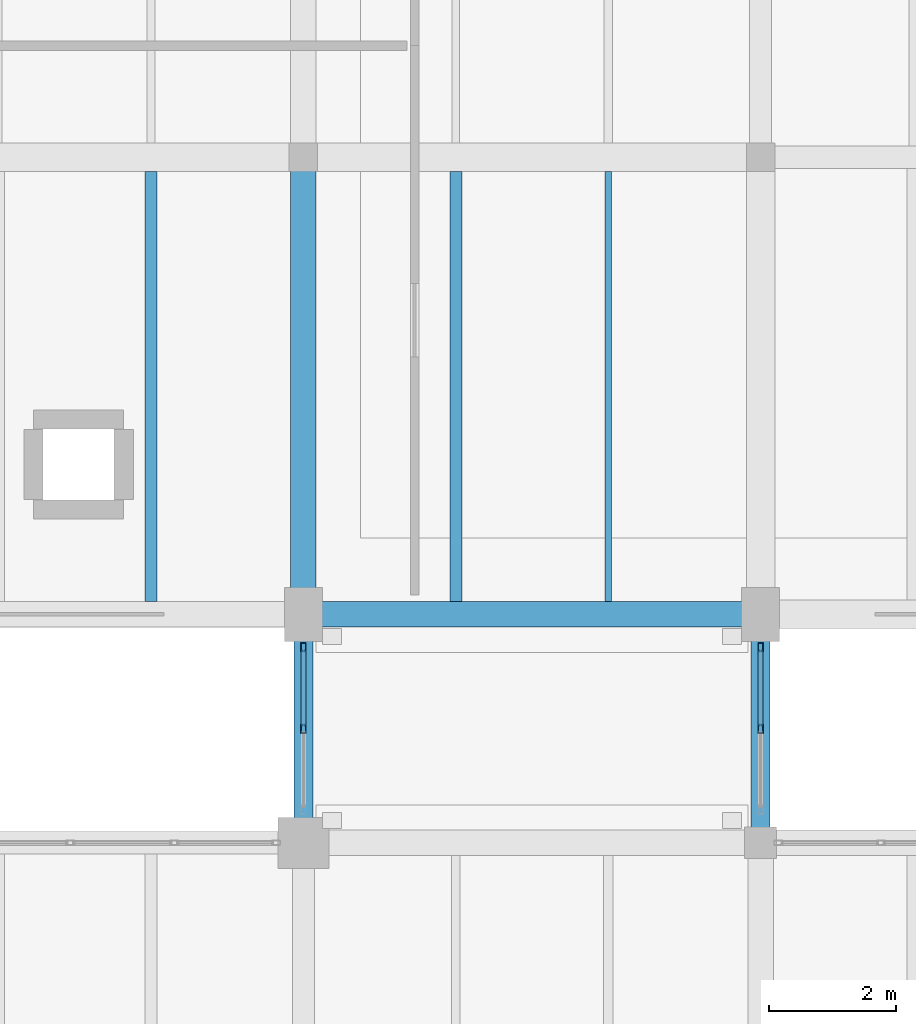
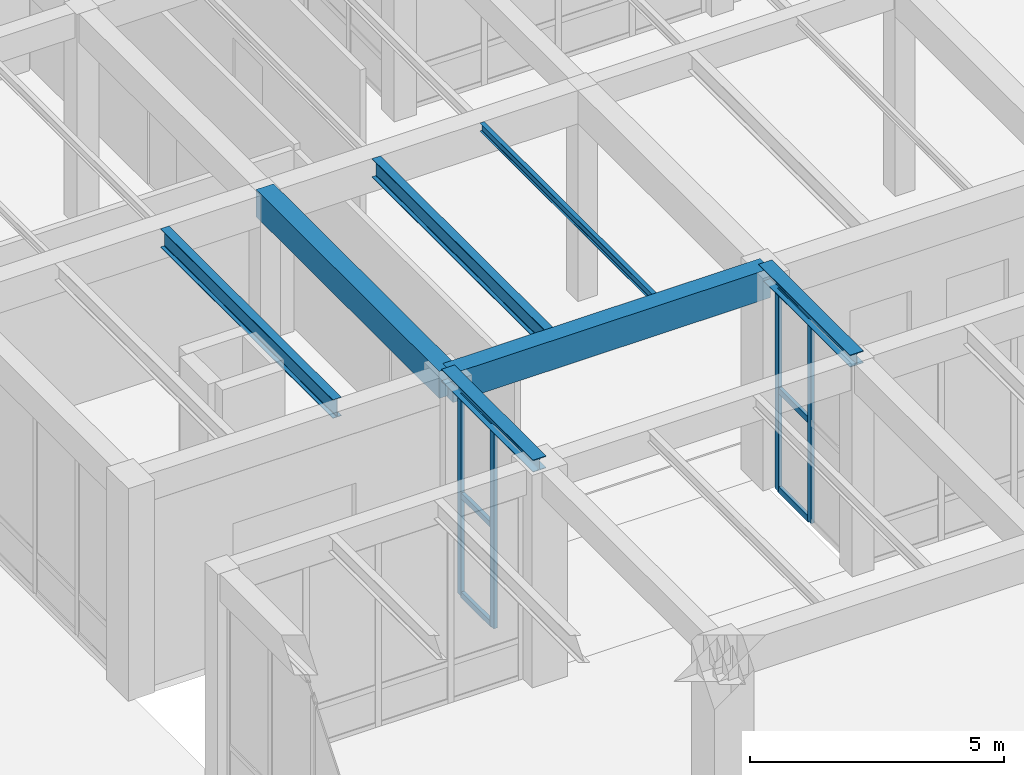
# One storey, part 90 of 169: 10 members, 7 beams, 2 elements without a shape of their own.
"""IFC4 building model written with IfcOpenShell, lengths in metres."""

from ifc_helpers import new_model, si_unit, direction, frame, origin, origin_2d, place, context, subcontext, project, spatial, rectangle, hollow_rectangle, i_section, extrude, material, layer, layer_set, material_profile, profile_set, type_object, element, aggregate, save


model = new_model("IFC4")

# Units and contexts
model_context = context("Model", 3, precision=1e-05, world=origin(), true_north=direction((0.0, 1.0)))
body_context = subcontext(model_context, "Body", "Model", "MODEL_VIEW")
ifc_project = project(units=[si_unit("LENGTHUNIT", "METRE"), si_unit("AREAUNIT", "SQUARE_METRE"), si_unit("VOLUMEUNIT", "CUBIC_METRE"), si_unit("PLANEANGLEUNIT", "RADIAN"), si_unit("MASSUNIT", "GRAM", prefix="KILO")], contexts=[model_context])

# Site, building, storey
site_placement = place(None, origin())
site = spatial("IfcSite", under=ifc_project, at=site_placement, CompositionType="ELEMENT")
building_placement = place(site_placement, origin())
building = spatial("IfcBuilding", under=site, at=building_placement, Name="Mazaris Harbour Polytechnic", CompositionType="ELEMENT")
storey_placement = place(building_placement, origin())
storey = spatial("IfcBuildingStorey", under=building, at=storey_placement, Name="L00", CompositionType="ELEMENT", Elevation=0.0)

# Curtain wall, members
ifc_material_1 = material(Name="Anodised Bronze Aluminium and Low-E Glass", Category="aluminium")
ifc_layer = layer(ifc_material_1, 0.139892578125, Name="Anodised Bronze Aluminium and Low-E Glass")
ifc_layer_set = layer_set([ifc_layer], Name="Anodised Bronze Aluminium and Low-E Glass")
curtain_wall_type = type_object("IfcCurtainWallType", Name="Seismic Link Bridge Glazing", PredefinedType="NOTDEFINED", material=ifc_layer_set)
curtain_wall_1_placement = place(storey_placement, origin())
curtain_wall_1 = element("IfcCurtainWall", 1, at=curtain_wall_1_placement, inside=storey, type_object=curtain_wall_type, Name="PB-NE L00 Bridge Glazing", PredefinedType="NOTDEFINED")
ifc_material_2 = material(Name="Anodised Bronze Steel S355", Category="steel")
ifc_material_profile_1 = material_profile(ifc_material_2, hollow_rectangle(XDim=0.080078125, YDim=0.139892578125, WallThickness=0.00634765625, at=origin_2d()), Name="RHS 80x140x6.3")
ifc_profile_set_1 = profile_set([ifc_material_profile_1], Name="Anodised Bronze Steel S355")
member_type_1 = type_object("IfcMemberType", Name="Curtain Mullion RHS80x140", PredefinedType="MULLION", material=ifc_profile_set_1)
member_1_placement = place(storey_placement, frame((129.60009765625, 46.280029296875, 0.0), z_axis=(0.0, 0.0, 1.0), x_axis=(1.0, 0.0, 0.0)))
member_1 = element("IfcMember", 2, at=member_1_placement, type_object=member_type_1, Name="CW-05 mullion 1", PredefinedType="MULLION", context=body_context, shape_type="SweptSolid", body=[
    extrude(hollow_rectangle(XDim=0.080078125, YDim=0.139892578125, WallThickness=0.00634765625, at=origin_2d()), origin(), (0.0, 0.0, 1.0), 4.8349609375),
])
member_2_placement = place(storey_placement, frame((129.60009765625, 45.0, 0.0), z_axis=(0.0, 0.0, 1.0), x_axis=(1.0, 0.0, 0.0)))
member_2 = element("IfcMember", 3, at=member_2_placement, type_object=member_type_1, Name="CW-05 mullion 2", PredefinedType="MULLION", context=body_context, shape_type="SweptSolid", body=[
    extrude(hollow_rectangle(XDim=0.080078125, YDim=0.139892578125, WallThickness=0.00634765625, at=origin_2d()), origin(), (0.0, 0.0, 1.0), 4.8349609375),
])

curtain_wall_2_placement = place(storey_placement, origin())
curtain_wall_2 = element("IfcCurtainWall", 4, at=curtain_wall_2_placement, inside=storey, type_object=curtain_wall_type, Name="PB-NE L00 Bridge Glazing", PredefinedType="NOTDEFINED")
member_3_placement = place(storey_placement, frame((136.800048828125, 45.0, 0.0), z_axis=(0.0, 0.0, 1.0), x_axis=(-1.0, 0.0, 0.0)))
member_3 = element("IfcMember", 5, at=member_3_placement, type_object=member_type_1, Name="CW-05 mullion 2", PredefinedType="MULLION", context=body_context, shape_type="SweptSolid", body=[
    extrude(hollow_rectangle(XDim=0.080078125, YDim=0.139892578125, WallThickness=0.00634765625, at=origin_2d()), origin(), (0.0, 0.0, 1.0), 4.8349609375),
])
member_4_placement = place(storey_placement, frame((136.800048828125, 46.280029296875, 0.0), z_axis=(0.0, 0.0, 1.0), x_axis=(-1.0, 0.0, 0.0)))
member_4 = element("IfcMember", 6, at=member_4_placement, type_object=member_type_1, Name="CW-05 mullion 3", PredefinedType="MULLION", context=body_context, shape_type="SweptSolid", body=[
    extrude(hollow_rectangle(XDim=0.080078125, YDim=0.139892578125, WallThickness=0.00634765625, at=origin_2d()), origin(), (0.0, 0.0, 1.0), 4.8349609375),
])

# Member
ifc_material_3 = material(Name="Anodised Bronze Steel S355", Category="steel")
ifc_material_profile_2 = material_profile(ifc_material_3, hollow_rectangle(XDim=0.080078125, YDim=0.139892578125, WallThickness=0.00634765625, at=origin_2d()), Name="RHS 80x140x6.3")
ifc_profile_set_2 = profile_set([ifc_material_profile_2], Name="Anodised Bronze Steel S355")
member_type_2 = type_object("IfcMemberType", Name="Curtain Transom RHS80x140", PredefinedType="USERDEFINED", material=ifc_profile_set_2)
member_5_placement = place(storey_placement, frame((129.60009765625, 46.239990234375, 0.0400390625), z_axis=(0.0, -1.0, 0.0), x_axis=(1.0, 0.0, 0.0)))
member_5 = element("IfcMember", 7, at=member_5_placement, type_object=member_type_2, Name="CW-05 transom 1.1", ObjectType="TRANSOM", PredefinedType="USERDEFINED", context=body_context, shape_type="SweptSolid", body=[
    extrude(hollow_rectangle(XDim=0.080078125, YDim=0.139892578125, WallThickness=0.00634765625, at=origin_2d()), origin(), (0.0, 0.0, 1.0), 1.199951171875),
])

member_6_placement = place(storey_placement, frame((129.60009765625, 46.239990234375, 2.41748046875), z_axis=(0.0, -1.0, 0.0), x_axis=(1.0, 0.0, 0.0)))
member_6 = element("IfcMember", 8, at=member_6_placement, type_object=member_type_2, Name="CW-05 transom 1.2", ObjectType="TRANSOM", PredefinedType="USERDEFINED", context=body_context, shape_type="SweptSolid", body=[
    extrude(hollow_rectangle(XDim=0.080078125, YDim=0.139892578125, WallThickness=0.00634765625, at=origin_2d()), origin(), (0.0, 0.0, 1.0), 1.199951171875),
])

member_7_placement = place(storey_placement, frame((129.60009765625, 46.239990234375, 4.794921875), z_axis=(0.0, -1.0, 0.0), x_axis=(1.0, 0.0, 0.0)))
member_7 = element("IfcMember", 9, at=member_7_placement, type_object=member_type_2, Name="CW-05 transom 1.3", ObjectType="TRANSOM", PredefinedType="USERDEFINED", context=body_context, shape_type="SweptSolid", body=[
    extrude(hollow_rectangle(XDim=0.080078125, YDim=0.139892578125, WallThickness=0.00634765625, at=origin_2d()), origin(), (0.0, 0.0, 1.0), 1.199951171875),
])

aggregate(curtain_wall_1, [member_1, member_2, member_5, member_6, member_7])

member_8_placement = place(storey_placement, frame((136.800048828125, 45.0400390625, 0.0400390625), z_axis=(0.0, 1.0, 0.0), x_axis=(-1.0, 0.0, 0.0)))
member_8 = element("IfcMember", 10, at=member_8_placement, type_object=member_type_2, Name="CW-05 transom 2.1", ObjectType="TRANSOM", PredefinedType="USERDEFINED", context=body_context, shape_type="SweptSolid", body=[
    extrude(hollow_rectangle(XDim=0.080078125, YDim=0.139892578125, WallThickness=0.00634765625, at=origin_2d()), origin(), (0.0, 0.0, 1.0), 1.199951171875),
])

member_9_placement = place(storey_placement, frame((136.800048828125, 45.0400390625, 2.41748046875), z_axis=(0.0, 1.0, 0.0), x_axis=(-1.0, 0.0, 0.0)))
member_9 = element("IfcMember", 11, at=member_9_placement, type_object=member_type_2, Name="CW-05 transom 2.2", ObjectType="TRANSOM", PredefinedType="USERDEFINED", context=body_context, shape_type="SweptSolid", body=[
    extrude(hollow_rectangle(XDim=0.080078125, YDim=0.139892578125, WallThickness=0.00634765625, at=origin_2d()), origin(), (0.0, 0.0, 1.0), 1.199951171875),
])

member_10_placement = place(storey_placement, frame((136.800048828125, 45.0400390625, 4.794921875), z_axis=(0.0, 1.0, 0.0), x_axis=(-1.0, 0.0, 0.0)))
member_10 = element("IfcMember", 12, at=member_10_placement, type_object=member_type_2, Name="CW-05 transom 2.3", ObjectType="TRANSOM", PredefinedType="USERDEFINED", context=body_context, shape_type="SweptSolid", body=[
    extrude(hollow_rectangle(XDim=0.080078125, YDim=0.139892578125, WallThickness=0.00634765625, at=origin_2d()), origin(), (0.0, 0.0, 1.0), 1.199951171875),
])

aggregate(curtain_wall_2, [member_3, member_4, member_8, member_9, member_10])

# Beams
ifc_material_4 = material(Name="Concrete C35/45", Category="concrete")
ifc_material_profile_3 = material_profile(ifc_material_4, rectangle(XDim=0.39990234375, YDim=0.64990234375, at=origin_2d()), Name="RECT400x650")
ifc_profile_set_3 = profile_set([ifc_material_profile_3], Name="Concrete C35/45")
beam_type_1 = type_object("IfcBeamType", Name="RC Girder 400x650", PredefinedType="BEAM", material=ifc_profile_set_3)
beam_1_placement = place(storey_placement, frame((129.60009765625, 46.800048828125, 4.77490234375), z_axis=(0.0, 1.0, 0.0), x_axis=(-1.0, 0.0, 0.0)))
element("IfcBeam", 13, at=beam_1_placement, inside=storey, type_object=beam_type_1, Name="V5 L00 Tie Girder 2766", PredefinedType="BEAM", context=body_context, shape_type="SweptSolid", body=[
    extrude(rectangle(XDim=0.39990234375, YDim=0.64990234375, at=origin_2d()), origin(), (0.0, 0.0, 1.0), 7.199951171875),
])
ifc_material_5 = material(Name="Concrete C35/45", Category="concrete")
ifc_material_profile_4 = material_profile(ifc_material_5, rectangle(XDim=0.39990234375, YDim=0.699951171875, at=origin_2d()), Name="RECT400x700")
ifc_profile_set_4 = profile_set([ifc_material_profile_4], Name="Concrete C35/45")
beam_type_2 = type_object("IfcBeamType", Name="RC Girder 400x700 Exterior", PredefinedType="BEAM", material=ifc_profile_set_4)
beam_2_placement = place(storey_placement, frame((129.60009765625, 46.800048828125, 4.75), z_axis=(1.0, 0.0, 0.0), x_axis=(0.0, 1.0, 0.0)))
element("IfcBeam", 14, at=beam_2_placement, inside=storey, type_object=beam_type_2, Name="V5 L00 Girder 2697", PredefinedType="BEAM", context=body_context, shape_type="SweptSolid", body=[
    extrude(rectangle(XDim=0.39990234375, YDim=0.699951171875, at=origin_2d()), origin(), (0.0, 0.0, 1.0), 7.199951171875),
])
ifc_material_6 = material(Name="Steel S355", Category="steel")
ifc_material_profile_5 = material_profile(ifc_material_6, i_section(OverallWidth=0.300048828125, OverallDepth=0.2900390625, WebThickness=0.008544921875, FlangeThickness=0.013916015625, FilletRadius=0.027099609375, at=origin_2d()), Name="HEA 300")
ifc_profile_set_5 = profile_set([ifc_material_profile_5], Name="Steel S355")
beam_type_3 = type_object("IfcBeamType", Name="Steel Beam HEA300 Exterior", PredefinedType="SPANDREL", material=ifc_profile_set_5)
for number, where, z_axis, x_axis, name in (
    (15, (129.60009765625, 43.199951171875, 4.989990234375), (0.0, 1.0, 0.0), (-1.0, 0.0, 0.0), "PB-NE L00 Bridge Girder 3473"),
    (16, (136.800048828125, 43.199951171875, 4.989990234375), (0.0, 1.0, 0.0), (-1.0, 0.0, 0.0), "PB-NE L00 Bridge Girder 3474"),
):
    element("IfcBeam", number, at=place(storey_placement, frame(where, z_axis=z_axis, x_axis=x_axis)), inside=storey, type_object=beam_type_3, Name=name, PredefinedType="SPANDREL", context=body_context, shape_type="SweptSolid", body=[
        extrude(i_section(OverallWidth=0.300048828125, OverallDepth=0.2900390625, WebThickness=0.008544921875, FlangeThickness=0.013916015625, FilletRadius=0.027099609375, at=origin_2d()), origin(), (0.0, 0.0, 1.0), 3.60009765625),
    ])
ifc_material_7 = material(Name="Steel S355", Category="steel")
ifc_material_profile_6 = material_profile(ifc_material_7, i_section(OverallWidth=0.10009765625, OverallDepth=0.199951171875, WebThickness=0.005615234375, FlangeThickness=0.008544921875, FilletRadius=0.011962890625, at=origin_2d()), Name="IPE 200")
ifc_profile_set_6 = profile_set([ifc_material_profile_6], Name="Steel S355")
beam_type_4 = type_object("IfcBeamType", Name="Steel Joist IPE200", PredefinedType="JOIST", material=ifc_profile_set_6)
beam_3_placement = place(storey_placement, frame((134.39990234375, 47.0, 5.0), z_axis=(0.0, 1.0, 0.0), x_axis=(-1.0, 0.0, 0.0)))
element("IfcBeam", 17, at=beam_3_placement, inside=storey, type_object=beam_type_4, Name="V5 L00 Floor Joist 2835", PredefinedType="JOIST", context=body_context, shape_type="SweptSolid", body=[
    extrude(i_section(OverallWidth=0.10009765625, OverallDepth=0.199951171875, WebThickness=0.005615234375, FlangeThickness=0.008544921875, FilletRadius=0.011962890625, at=origin_2d()), origin(), (0.0, 0.0, 1.0), 6.77490234375),
])
ifc_material_8 = material(Name="Steel S355", Category="steel")
ifc_material_profile_7 = material_profile(ifc_material_8, i_section(OverallWidth=0.18994140625, OverallDepth=0.449951171875, WebThickness=0.009521484375, FlangeThickness=0.0146484375, FilletRadius=0.02099609375, at=origin_2d()), Name="IPE 450")
ifc_profile_set_7 = profile_set([ifc_material_profile_7], Name="Steel S355")
beam_type_5 = type_object("IfcBeamType", Name="Steel Joist IPE450", PredefinedType="JOIST", material=ifc_profile_set_7)
for number, where, z_axis, x_axis, name in (
    (18, (127.199951171875, 47.0, 4.875), (0.0, 1.0, 0.0), (-1.0, 0.0, 0.0), "V5 L00 Floor Joist 2820"),
    (19, (132.0, 47.0, 4.875), (0.0, 1.0, 0.0), (-1.0, 0.0, 0.0), "V5 L00 Floor Joist 2834"),
):
    element("IfcBeam", number, at=place(storey_placement, frame(where, z_axis=z_axis, x_axis=x_axis)), inside=storey, type_object=beam_type_5, Name=name, PredefinedType="JOIST", context=body_context, shape_type="SweptSolid", body=[
        extrude(i_section(OverallWidth=0.18994140625, OverallDepth=0.449951171875, WebThickness=0.009521484375, FlangeThickness=0.0146484375, FilletRadius=0.02099609375, at=origin_2d()), origin(), (0.0, 0.0, 1.0), 6.77490234375),
    ])

save(model, "model.ifc")
